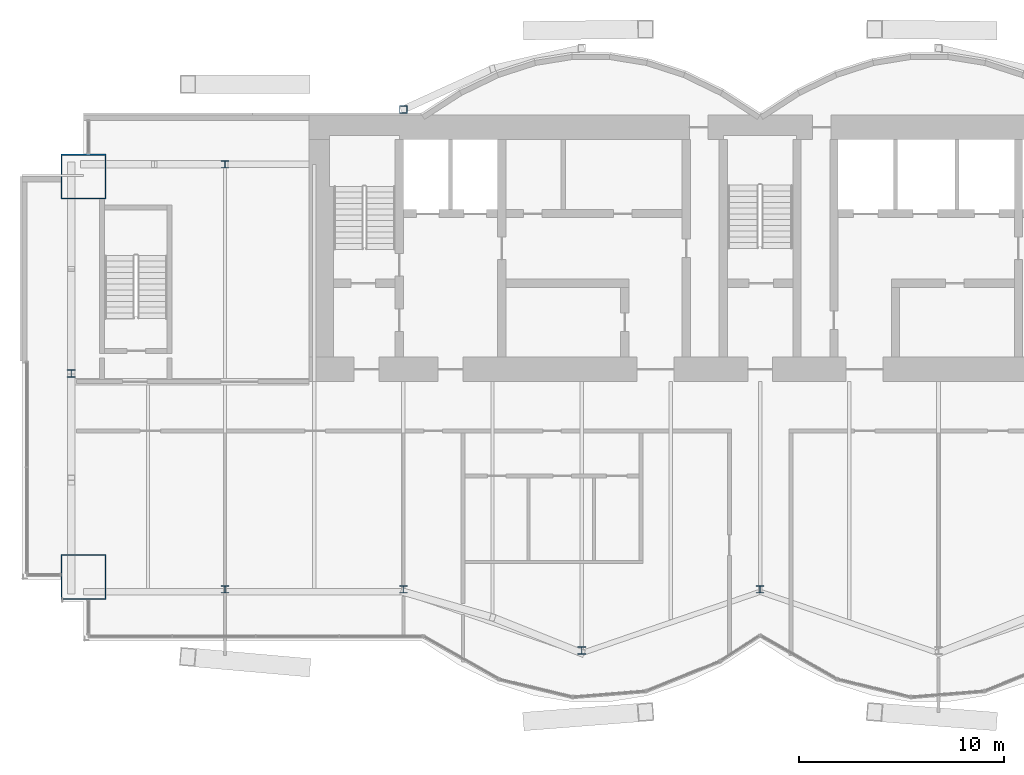
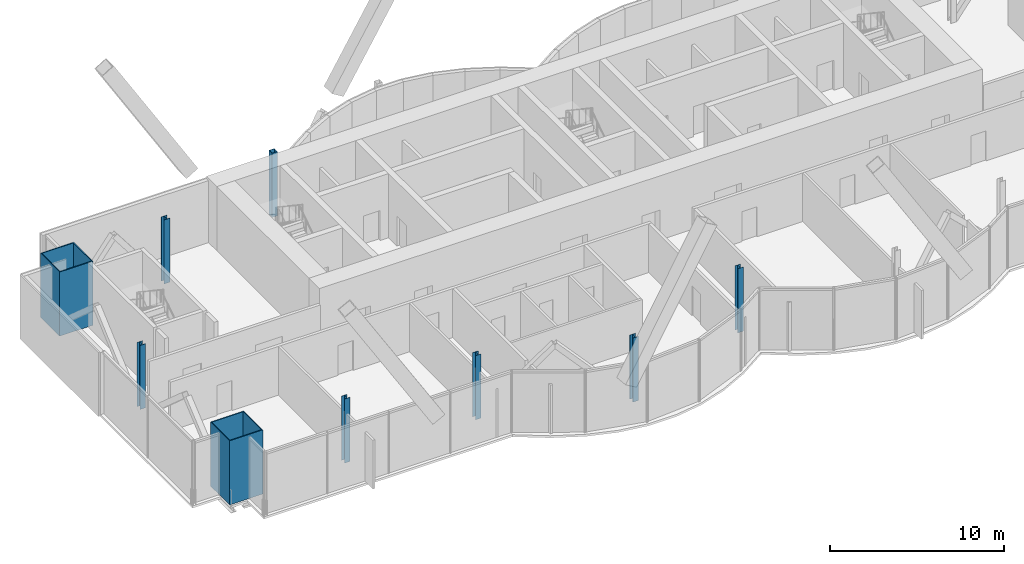
# One storey, part 1 of 19: 9 columns.
"""IFC4 building model written with IfcOpenShell, lengths in metres."""

from ifc_helpers import new_model, si_unit, direction, frame, origin, origin_2d, place, context, subcontext, project, spatial, hollow_rectangle, i_section, extrude, material, material_profile, profile_set, type_object, element, save


model = new_model("IFC4")

# Units and contexts
model_context = context("Model", 3, precision=1e-05, world=origin(), true_north=direction((0.0, 1.0)))
body_context = subcontext(model_context, "Body", "Model", "MODEL_VIEW")
ifc_project = project(units=[si_unit("LENGTHUNIT", "METRE"), si_unit("AREAUNIT", "SQUARE_METRE"), si_unit("VOLUMEUNIT", "CUBIC_METRE"), si_unit("PLANEANGLEUNIT", "RADIAN"), si_unit("MASSUNIT", "GRAM", prefix="KILO")], contexts=[model_context])

# Site, building, storey
site_placement = place(None, origin())
site = spatial("IfcSite", under=ifc_project, at=site_placement, CompositionType="ELEMENT")
building_placement = place(site_placement, origin())
building = spatial("IfcBuilding", under=site, at=building_placement, Name="Bicima Exchange Tower", CompositionType="ELEMENT")
storey_placement = place(building_placement, frame((0.0, 0.0, 324.5)))
storey = spatial("IfcBuildingStorey", under=building, at=storey_placement, Name="L73", CompositionType="ELEMENT", Elevation=324.5)

# Columns
ifc_material_1 = material(Name="Steel ASTM A572 Gr 50", Category="steel")
ifc_material_profile_1 = material_profile(ifc_material_1, hollow_rectangle(XDim=2.199951171875, YDim=2.199951171875, WallThickness=0.06005859375, at=origin_2d()))
ifc_profile_set_1 = profile_set([ifc_material_profile_1], Name="Steel ASTM A572 Gr 50")
column_type_1 = type_object("IfcColumnType", Name="Mega column BOX 2200x2200x60", PredefinedType="COLUMN", material=ifc_profile_set_1)
for number, where, z_axis, x_axis, name in (
    (1, (-33.0, -22.530029296875, 0.0), (0.0, 0.0, 1.0), (1.0, 0.0, 0.0), "Mega column mega-33.0f"),
    (2, (-33.0, -3.0, 0.0), (0.0, 0.0, 1.0), (1.0, 0.0, 0.0), "Mega column mega-33.0r"),
):
    element("IfcColumn", number, at=place(storey_placement, frame(where, z_axis=z_axis, x_axis=x_axis)), inside=storey, type_object=column_type_1, Name=name, PredefinedType="COLUMN", context=body_context, shape_type="SweptSolid", body=[
        extrude(hollow_rectangle(XDim=2.199951171875, YDim=2.199951171875, WallThickness=0.06005859375, at=origin_2d()), origin(), (0.0, 0.0, 1.0), 4.5),
    ])
ifc_material_2 = material(Name="Steel ASTM A992 Gr 50", Category="steel")
ifc_material_profile_2 = material_profile(ifc_material_2, i_section(OverallWidth=0.368408203125, OverallDepth=0.355712890625, WebThickness=0.01123046875, FlangeThickness=0.01806640625, at=origin_2d()))
ifc_profile_set_2 = profile_set([ifc_material_profile_2], Name="Steel ASTM A992 Gr 50")
column_type_2 = type_object("IfcColumnType", Name="Perimeter column W14x90", PredefinedType="COLUMN", material=ifc_profile_set_2)
for number, where, z_axis, x_axis, name in (
    (3, (-26.10009765625, -23.1298828125, 0.0), (0.0, 0.0, 1.0), (1.0, 0.0, 0.0), "Perimeter column grav-26.1f"),
    (4, (-26.10009765625, -2.39990234375, 0.0), (0.0, 0.0, 1.0), (1.0, 0.0, 0.0), "Perimeter column grav-26.1r"),
    (5, (-17.39990234375, -23.1298828125, 0.0), (0.0, 0.0, 1.0), (1.0, 0.0, 0.0), "Perimeter column grav-17.4f"),
    (6, (-8.699951171875, -26.12109375, 0.0), (0.0, 0.0, 1.0), (1.0, 0.0, 0.0), "Perimeter column grav-8.7f"),
    (7, (0.0, -23.1298828125, 0.0), (0.0, 0.0, 1.0), (1.0, 0.0, 0.0), "Perimeter column grav-0.0f"),
    (8, (-33.60009765625, -12.60009765625, 0.0), (0.0, 0.0, 1.0), (1.0, 0.0, 0.0), "End column end-33.6e"),
):
    element("IfcColumn", number, at=place(storey_placement, frame(where, z_axis=z_axis, x_axis=x_axis)), inside=storey, type_object=column_type_2, Name=name, PredefinedType="COLUMN", context=body_context, shape_type="SweptSolid", body=[
        extrude(i_section(OverallWidth=0.368408203125, OverallDepth=0.355712890625, WebThickness=0.01123046875, FlangeThickness=0.01806640625, at=origin_2d()), origin(), (0.0, 0.0, 1.0), 4.5),
    ])
ifc_material_profile_3 = material_profile(ifc_material_1, hollow_rectangle(XDim=0.355712890625, YDim=0.355712890625, WallThickness=0.01171875, at=origin_2d()))
ifc_profile_set_3 = profile_set([ifc_material_profile_3], Name="Steel ASTM A572 Gr 50")
column_type_3 = type_object("IfcColumnType", Name="Rear pilaster HSS14x14x1/2", PredefinedType="COLUMN", material=ifc_profile_set_3)
column_placement = place(storey_placement, frame((-17.39990234375, 0.278076171875, 0.0), z_axis=(0.0, 0.0, 1.0), x_axis=(1.0, 0.0, 0.0)))
element("IfcColumn", 9, at=column_placement, inside=storey, type_object=column_type_3, Name="Rear pilaster rexo-17.4r", PredefinedType="COLUMN", context=body_context, shape_type="SweptSolid", body=[
    extrude(hollow_rectangle(XDim=0.355712890625, YDim=0.355712890625, WallThickness=0.01171875, at=origin_2d()), origin(), (0.0, 0.0, 1.0), 4.5),
])

save(model, "model.ifc")
